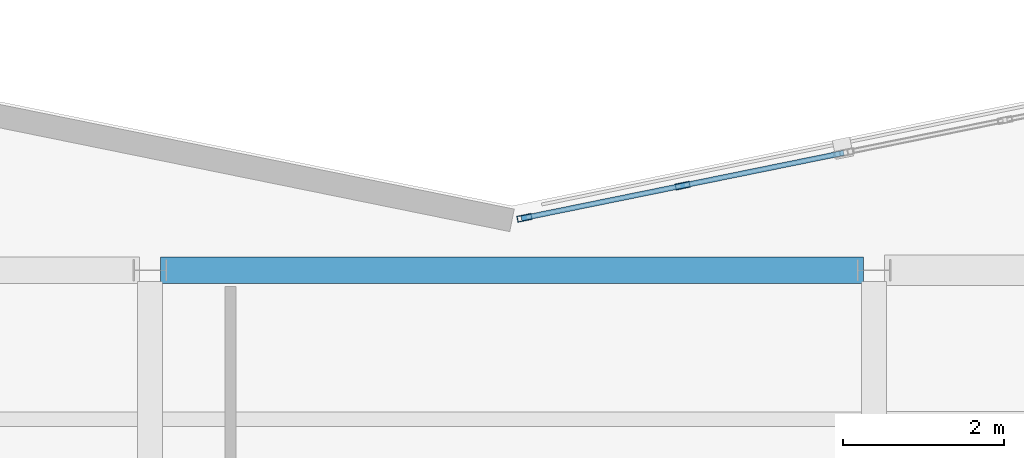
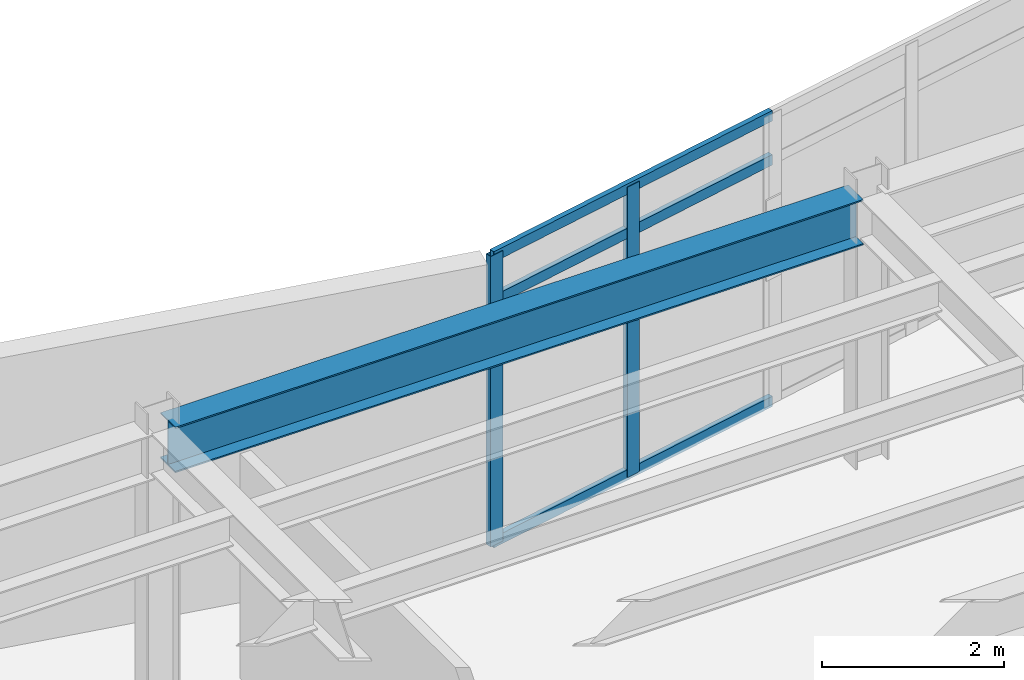
# One storey, part 23 of 59: 5 members, 1 beam, 1 element without a shape of its own.
"""IFC4 building model written with IfcOpenShell, lengths in metres."""

from ifc_helpers import new_model, si_unit, direction, frame, origin, origin_2d, place, context, subcontext, project, spatial, hollow_rectangle, i_section, extrude, material, layer, layer_set, material_profile, profile_set, type_object, element, aggregate, save


model = new_model("IFC4")

# Units and contexts
model_context = context("Model", 3, precision=1e-05, world=origin(), true_north=direction((0.0, 1.0)))
body_context = subcontext(model_context, "Body", "Model", "MODEL_VIEW")
ifc_project = project(units=[si_unit("LENGTHUNIT", "METRE"), si_unit("AREAUNIT", "SQUARE_METRE"), si_unit("VOLUMEUNIT", "CUBIC_METRE"), si_unit("PLANEANGLEUNIT", "RADIAN"), si_unit("MASSUNIT", "GRAM", prefix="KILO")], contexts=[model_context])

# Site, building, storey
site_placement = place(None, origin())
site = spatial("IfcSite", under=ifc_project, at=site_placement, CompositionType="ELEMENT")
building_placement = place(site_placement, origin())
building = spatial("IfcBuilding", under=site, at=building_placement, Name="Sollismere Congress Hotel", CompositionType="ELEMENT")
storey_placement = place(building_placement, frame((0.0, 0.0, 15.60009765625)))
storey = spatial("IfcBuildingStorey", under=building, at=storey_placement, Name="L03", CompositionType="ELEMENT", Elevation=15.60009765625)

# Beam
ifc_material_1 = material(Name="Steel ASTM A992 Grade 50", Category="steel")
ifc_material_profile_1 = material_profile(ifc_material_1, i_section(OverallWidth=0.324951171875, OverallDepth=0.612060546875, WebThickness=0.0126953125, FlangeThickness=0.01904296875, at=origin_2d()), Name="W24X104")
ifc_profile_set_1 = profile_set([ifc_material_profile_1], Name="Steel ASTM A992 Grade 50")
beam_type = type_object("IfcBeamType", Name="BM-G24", PredefinedType="BEAM", material=ifc_profile_set_1)
beam_placement = place(storey_placement, frame((103.131103515625, 102.39990234375, 3.31884765625), z_axis=(1.0, 0.0, 0.0), x_axis=(0.0, 1.0, 0.0)))
element("IfcBeam", 1, at=beam_placement, inside=storey, type_object=beam_type, Name="Beam BM-L03-2403", PredefinedType="BEAM", context=body_context, shape_type="SweptSolid", body=[
    extrude(i_section(OverallWidth=0.324951171875, OverallDepth=0.612060546875, WebThickness=0.0126953125, FlangeThickness=0.01904296875, at=origin_2d()), origin(), (0.0, 0.0, 1.0), 8.73779296875),
])

# Curtain wall, members
ifc_material_2 = material(Name="Anodized Bronze Curtain Wall & Low-E Triple Glazing", Category="glass")
ifc_layer = layer(ifc_material_2, 0.199951171875, Name="Anodized Bronze Curtain Wall & Low-E Triple Glazing")
ifc_layer_set = layer_set([ifc_layer], Name="Anodized Bronze Curtain Wall & Low-E Triple Glazing")
curtain_wall_type = type_object("IfcCurtainWallType", Name="CW-GLZ36", PredefinedType="USERDEFINED", material=ifc_layer_set)
curtain_wall_placement = place(storey_placement, origin())
curtain_wall = element("IfcCurtainWall", 2, at=curtain_wall_placement, inside=storey, type_object=curtain_wall_type, Name="Unitised curtain wall CW-L03-111", ObjectType="UNITISED CURTAIN WALL", PredefinedType="USERDEFINED")
ifc_material_3 = material(Name="Anodized Aluminum 6063-T6", Category="aluminium")
ifc_material_profile_2 = material_profile(ifc_material_3, hollow_rectangle(XDim=0.074951171875, YDim=0.179931640625, WallThickness=0.0048828125, at=origin_2d()), Name="ALU180X75X5")
ifc_profile_set_2 = profile_set([ifc_material_profile_2], Name="Anodized Aluminum 6063-T6")
member_type_1 = type_object("IfcMemberType", Name="ML-CW180", PredefinedType="MULLION", material=ifc_profile_set_2)
member_1_placement = place(storey_placement, frame((107.65478515625, 103.051513671875, 0.0), z_axis=(0.0, 0.0, 1.0), x_axis=(-0.199367934417, 0.979924704621, 0.0)))
member_1 = element("IfcMember", 3, at=member_1_placement, type_object=member_type_1, Name="CWL-CW-L03-111-ML01", PredefinedType="MULLION", context=body_context, shape_type="SweptSolid", body=[
    extrude(hollow_rectangle(XDim=0.074951171875, YDim=0.179931640625, WallThickness=0.0048828125, at=origin_2d()), origin(), (0.0, 0.0, 1.0), 3.89990234375),
])
member_2_placement = place(storey_placement, frame((109.621337890625, 103.45166015625, 0.0), z_axis=(0.0, 0.0, 1.0), x_axis=(-0.199367934417, 0.979924704621, 0.0)))
member_2 = element("IfcMember", 4, at=member_2_placement, type_object=member_type_1, Name="CWL-CW-L03-111-ML02", PredefinedType="MULLION", context=body_context, shape_type="SweptSolid", body=[
    extrude(hollow_rectangle(XDim=0.074951171875, YDim=0.179931640625, WallThickness=0.0048828125, at=origin_2d()), origin(), (0.0, 0.0, 1.0), 3.89990234375),
])
ifc_material_profile_3 = material_profile(ifc_material_3, hollow_rectangle(XDim=0.06494140625, YDim=0.139892578125, WallThickness=0.00390625, at=origin_2d()), Name="ALU140X65X4")
ifc_profile_set_3 = profile_set([ifc_material_profile_3], Name="Anodized Aluminum 6063-T6")
member_type_2 = type_object("IfcMemberType", Name="TR-CW150", PredefinedType="MEMBER", material=ifc_profile_set_3)
member_3_placement = place(storey_placement, frame((107.61767578125, 103.0439453125, 0.032470703125), z_axis=(0.979918476409, 0.199398544609, 0.0), x_axis=(-0.199398544609, 0.979918476409, 0.0)))
member_3 = element("IfcMember", 5, at=member_3_placement, type_object=member_type_2, Name="CWL-CW-L03-111-TR1", PredefinedType="MEMBER", context=body_context, shape_type="SweptSolid", body=[
    extrude(hollow_rectangle(XDim=0.06494140625, YDim=0.139892578125, WallThickness=0.00390625, at=origin_2d()), origin(), (0.0, 0.0, 1.0), 4.08935546875),
])
member_4_placement = place(storey_placement, frame((107.61767578125, 103.0439453125, 3.27587890625), z_axis=(0.979918476409, 0.199398544609, 0.0), x_axis=(-0.199398544609, 0.979918476409, 0.0)))
member_4 = element("IfcMember", 6, at=member_4_placement, type_object=member_type_2, Name="CWL-CW-L03-111-TR2", PredefinedType="MEMBER", context=body_context, shape_type="SweptSolid", body=[
    extrude(hollow_rectangle(XDim=0.06494140625, YDim=0.139892578125, WallThickness=0.00390625, at=origin_2d()), origin(), (0.0, 0.0, 1.0), 4.08935546875),
])
member_5_placement = place(storey_placement, frame((107.61767578125, 103.0439453125, 3.867431640625), z_axis=(0.979918476409, 0.199398544609, 0.0), x_axis=(-0.199398544609, 0.979918476409, 0.0)))
member_5 = element("IfcMember", 7, at=member_5_placement, type_object=member_type_2, Name="CWL-CW-L03-111-TR3", PredefinedType="MEMBER", context=body_context, shape_type="SweptSolid", body=[
    extrude(hollow_rectangle(XDim=0.06494140625, YDim=0.139892578125, WallThickness=0.00390625, at=origin_2d()), origin(), (0.0, 0.0, 1.0), 4.08935546875),
])
aggregate(curtain_wall, [member_1, member_2, member_3, member_4, member_5])

save(model, "model.ifc")
